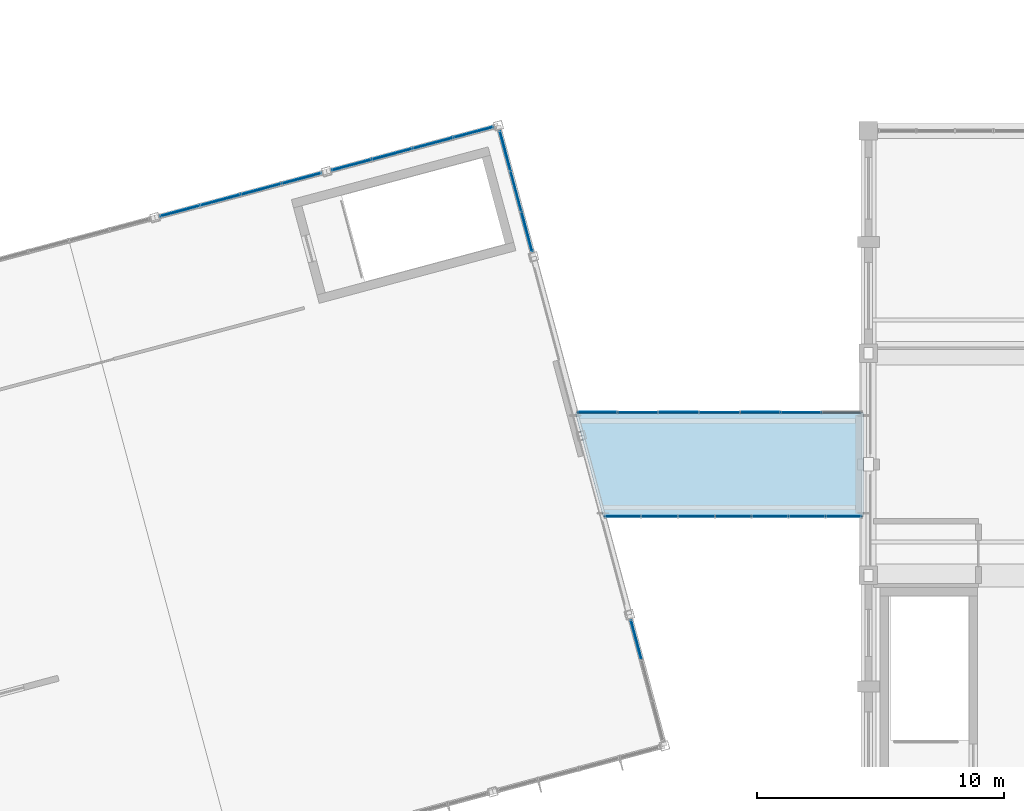
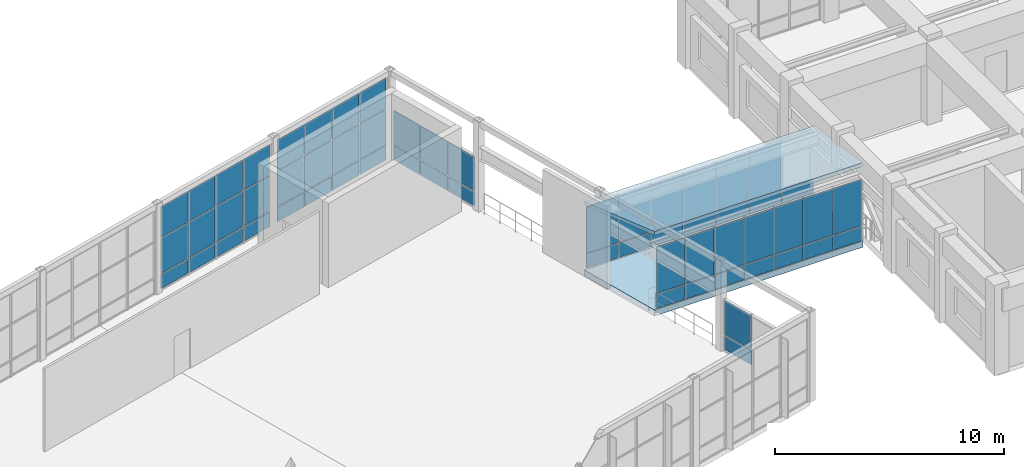
# One storey, part 75 of 99: 59 plates, 2 slabs, 6 elements without a shape of their own.
"""IFC4 building model written with IfcOpenShell, lengths in metres."""

from ifc_helpers import new_model, si_unit, direction, frame, origin, origin_2d, place, context, subcontext, project, spatial, polyline, rectangle, outline, extrude, material, layer, layer_set, type_object, element, aggregate, save


model = new_model("IFC4")

# Units and contexts
model_context = context("Model", 3, precision=1e-05, world=origin(), true_north=direction((0.0, 1.0)))
body_context = subcontext(model_context, "Body", "Model", "MODEL_VIEW")
ifc_project = project(units=[si_unit("LENGTHUNIT", "METRE"), si_unit("AREAUNIT", "SQUARE_METRE"), si_unit("VOLUMEUNIT", "CUBIC_METRE"), si_unit("PLANEANGLEUNIT", "RADIAN"), si_unit("MASSUNIT", "GRAM", prefix="KILO")], contexts=[model_context])

# Site, building, storey
site_placement = place(None, origin())
site = spatial("IfcSite", under=ifc_project, at=site_placement, CompositionType="ELEMENT")
building_placement = place(site_placement, origin())
building = spatial("IfcBuilding", under=site, at=building_placement, Name="Ventoquebrada Cableway Terminal", CompositionType="ELEMENT")
storey_placement = place(building_placement, frame((0.0, 0.0, 9.60009765625)))
storey = spatial("IfcBuildingStorey", under=building, at=storey_placement, Name="L02", CompositionType="ELEMENT", Elevation=9.60009765625)

# Curtain wall, plates
ifc_material_1 = material(Name="Anodized thermally-broken aluminium", Category="aluminium")
ifc_layer_1 = layer(ifc_material_1, 0.159912109375)
ifc_layer_set_1 = layer_set([ifc_layer_1], Name="Anodized thermally-broken aluminium")
curtain_wall_type_1 = type_object("IfcCurtainWallType", Name="CW-T40", PredefinedType="USERDEFINED", material=ifc_layer_set_1)
curtain_wall_1_placement = place(storey_placement, origin())
curtain_wall_1 = element("IfcCurtainWall", 1, at=curtain_wall_1_placement, inside=storey, type_object=curtain_wall_type_1, Name="Unitised glazed curtain wall CW-109", ObjectType="UNITISED CURTAIN WALL", PredefinedType="USERDEFINED")
ifc_material_2 = material(Name="Double low-e laminated safety glazing", Category="glass")
ifc_layer_2 = layer(ifc_material_2, 0.031982421875)
ifc_layer_set_2 = layer_set([ifc_layer_2], Name="Double low-e laminated safety glazing")
plate_type_1 = type_object("IfcPlateType", Name="CWP-GL1", PredefinedType="CURTAIN_PANEL", material=ifc_layer_set_2)
plate_1_placement = place(storey_placement, frame((72.050048828125, 102.0791015625, 2.808837890625), z_axis=(0.0, 0.0, 1.0), x_axis=(-0.965966469573, -0.258667314636, 0.0)))
plate_1 = element("IfcPlate", 2, at=plate_1_placement, type_object=plate_type_1, Name="Vision glazing panel PN-1145", PredefinedType="CURTAIN_PANEL", context=body_context, shape_type="SweptSolid", body=[
    extrude(rectangle(XDim=1.615966796875, YDim=0.031982421875, at=origin_2d()), origin(), (0.0, 0.0, 1.0), 1.6220703125),
])
plate_2_placement = place(storey_placement, frame((70.4150390625, 101.64208984375, 0.87451171875), z_axis=(0.0, 0.0, 1.0), x_axis=(-0.965966469573, -0.258667314636, 0.0)))
plate_2 = element("IfcPlate", 3, at=plate_2_placement, type_object=plate_type_1, Name="Vision glazing panel PN-1147", PredefinedType="CURTAIN_PANEL", context=body_context, shape_type="SweptSolid", body=[
    extrude(rectangle(XDim=1.65087890625, YDim=0.031982421875, at=origin_2d()), origin(), (0.0, 0.0, 1.0), 1.885009765625),
])
plate_3_placement = place(storey_placement, frame((68.763916015625, 101.199951171875, 2.808837890625), z_axis=(0.0, 0.0, 1.0), x_axis=(-0.965966469573, -0.258667314636, 0.0)))
plate_3 = element("IfcPlate", 4, at=plate_3_placement, type_object=plate_type_1, Name="Vision glazing panel PN-1151", PredefinedType="CURTAIN_PANEL", context=body_context, shape_type="SweptSolid", body=[
    extrude(rectangle(XDim=1.65087890625, YDim=0.031982421875, at=origin_2d()), origin(), (0.0, 0.0, 1.0), 1.6220703125),
])
plate_4_placement = place(storey_placement, frame((67.1298828125, 100.760986328125, 0.87451171875), z_axis=(0.0, 0.0, 1.0), x_axis=(-0.965966469573, -0.258667314636, 0.0)))
plate_4 = element("IfcPlate", 5, at=plate_4_placement, type_object=plate_type_1, Name="Vision glazing panel PN-1153", PredefinedType="CURTAIN_PANEL", context=body_context, shape_type="SweptSolid", body=[
    extrude(rectangle(XDim=1.615966796875, YDim=0.031982421875, at=origin_2d()), origin(), (0.0, 0.0, 1.0), 1.885009765625),
])

curtain_wall_2_placement = place(storey_placement, origin())
curtain_wall_2 = element("IfcCurtainWall", 6, at=curtain_wall_2_placement, inside=storey, type_object=curtain_wall_type_1, Name="Unitised glazed curtain wall CW-110", ObjectType="UNITISED CURTAIN WALL", PredefinedType="USERDEFINED")
plate_5_placement = place(storey_placement, frame((79.0048828125, 103.944091796875, 2.808837890625), z_axis=(0.0, 0.0, 1.0), x_axis=(-0.965939376699, -0.25876846899, 0.0)))
plate_5 = element("IfcPlate", 7, at=plate_5_placement, type_object=plate_type_1, Name="Vision glazing panel PN-1157", PredefinedType="CURTAIN_PANEL", context=body_context, shape_type="SweptSolid", body=[
    extrude(rectangle(XDim=1.615966796875, YDim=0.031982421875, at=origin_2d()), origin(), (0.0, 0.0, 1.0), 1.6220703125),
])
plate_6_placement = place(storey_placement, frame((77.3701171875, 103.5048828125, 0.87451171875), z_axis=(0.0, 0.0, 1.0), x_axis=(-0.965939376699, -0.25876846899, 0.0)))
plate_6 = element("IfcPlate", 8, at=plate_6_placement, type_object=plate_type_1, Name="Vision glazing panel PN-1159", PredefinedType="CURTAIN_PANEL", context=body_context, shape_type="SweptSolid", body=[
    extrude(rectangle(XDim=1.65087890625, YDim=0.031982421875, at=origin_2d()), origin(), (0.0, 0.0, 1.0), 1.885009765625),
])
plate_7_placement = place(storey_placement, frame((75.718994140625, 103.06298828125, 2.808837890625), z_axis=(0.0, 0.0, 1.0), x_axis=(-0.965939376699, -0.25876846899, 0.0)))
plate_7 = element("IfcPlate", 9, at=plate_7_placement, type_object=plate_type_1, Name="Vision glazing panel PN-1163", PredefinedType="CURTAIN_PANEL", context=body_context, shape_type="SweptSolid", body=[
    extrude(rectangle(XDim=1.65087890625, YDim=0.031982421875, at=origin_2d()), origin(), (0.0, 0.0, 1.0), 1.6220703125),
])
plate_8_placement = place(storey_placement, frame((74.083984375, 102.6240234375, 0.87451171875), z_axis=(0.0, 0.0, 1.0), x_axis=(-0.965939376699, -0.25876846899, 0.0)))
plate_8 = element("IfcPlate", 10, at=plate_8_placement, type_object=plate_type_1, Name="Vision glazing panel PN-1165", PredefinedType="CURTAIN_PANEL", context=body_context, shape_type="SweptSolid", body=[
    extrude(rectangle(XDim=1.615966796875, YDim=0.031982421875, at=origin_2d()), origin(), (0.0, 0.0, 1.0), 1.885009765625),
])

# Curtain wall, plate
ifc_layer_3 = layer(ifc_material_1, 0.159912109375)
ifc_layer_set_3 = layer_set([ifc_layer_3], Name="Anodized thermally-broken aluminium")
curtain_wall_type_2 = type_object("IfcCurtainWallType", Name="CW-T41", PredefinedType="USERDEFINED", material=ifc_layer_set_3)
curtain_wall_3_placement = place(storey_placement, origin())
curtain_wall_3 = element("IfcCurtainWall", 11, at=curtain_wall_3_placement, inside=storey, type_object=curtain_wall_type_2, Name="Unitised glazed curtain wall CW-114", ObjectType="UNITISED CURTAIN WALL", PredefinedType="USERDEFINED")
plate_9_placement = place(storey_placement, frame((80.73388671875, 101.55908203125, 0.87890625), z_axis=(0.0, 0.0, 1.0), x_axis=(-0.258751610128, 0.965943892913, 0.0)))
plate_9 = element("IfcPlate", 12, at=plate_9_placement, type_object=plate_type_1, Name="Vision glazing panel PN-1188", PredefinedType="CURTAIN_PANEL", context=body_context, shape_type="SweptSolid", body=[
    extrude(rectangle(XDim=1.6689453125, YDim=0.031982421875, at=origin_2d()), origin(), (0.0, 0.0, 1.0), 1.80810546875),
])

# Curtain wall, plates
ifc_layer_4 = layer(ifc_material_1, 0.159912109375)
ifc_layer_set_4 = layer_set([ifc_layer_4], Name="Anodized thermally-broken aluminium")
curtain_wall_type_3 = type_object("IfcCurtainWallType", Name="CW-T54", PredefinedType="USERDEFINED", material=ifc_layer_set_4)
curtain_wall_4_placement = place(storey_placement, origin())
curtain_wall_4 = element("IfcCurtainWall", 13, at=curtain_wall_4_placement, inside=storey, type_object=curtain_wall_type_3, Name="Unitised glazed curtain wall CW-173", ObjectType="UNITISED CURTAIN WALL", PredefinedType="USERDEFINED")
plate_10_placement = place(storey_placement, frame((86.5439453125, 88.39990234375, 0.87158203125), z_axis=(0.0, 0.0, 1.0), x_axis=(1.0, 0.0, 0.0)))
plate_10 = element("IfcPlate", 14, at=plate_10_placement, type_object=plate_type_1, Name="Vision glazing panel PN-1828", PredefinedType="CURTAIN_PANEL", context=body_context, shape_type="SweptSolid", body=[
    extrude(rectangle(XDim=1.448974609375, YDim=0.031982421875, at=origin_2d()), origin(), (0.0, 0.0, 1.0), 2.470947265625),
])
plate_11_placement = place(storey_placement, frame((89.530029296875, 88.39990234375, 0.87158203125), z_axis=(0.0, 0.0, 1.0), x_axis=(1.0, 0.0, 0.0)))
plate_11 = element("IfcPlate", 15, at=plate_11_placement, type_object=plate_type_1, Name="Vision glazing panel PN-1832", PredefinedType="CURTAIN_PANEL", context=body_context, shape_type="SweptSolid", body=[
    extrude(rectangle(XDim=1.448974609375, YDim=0.031982421875, at=origin_2d()), origin(), (0.0, 0.0, 1.0), 2.470947265625),
])
plate_12_placement = place(storey_placement, frame((92.51611328125, 88.39990234375, 0.87158203125), z_axis=(0.0, 0.0, 1.0), x_axis=(1.0, 0.0, 0.0)))
plate_12 = element("IfcPlate", 16, at=plate_12_placement, type_object=plate_type_1, Name="Vision glazing panel PN-1836", PredefinedType="CURTAIN_PANEL", context=body_context, shape_type="SweptSolid", body=[
    extrude(rectangle(XDim=1.448974609375, YDim=0.031982421875, at=origin_2d()), origin(), (0.0, 0.0, 1.0), 2.470947265625),
])

ifc_layer_5 = layer(ifc_material_1, 0.159912109375)
ifc_layer_set_5 = layer_set([ifc_layer_5], Name="Anodized thermally-broken aluminium")
curtain_wall_type_4 = type_object("IfcCurtainWallType", Name="CW-T55", PredefinedType="USERDEFINED", material=ifc_layer_set_5)
curtain_wall_5_placement = place(storey_placement, origin())
curtain_wall_5 = element("IfcCurtainWall", 17, at=curtain_wall_5_placement, inside=storey, type_object=curtain_wall_type_4, Name="Unitised glazed curtain wall CW-174", ObjectType="UNITISED CURTAIN WALL", PredefinedType="USERDEFINED")
plate_13_placement = place(storey_placement, frame((92.27392578125, 92.60009765625, 0.87158203125), z_axis=(0.0, 0.0, 1.0), x_axis=(-1.0, 0.0, 0.0)))
plate_13 = element("IfcPlate", 18, at=plate_13_placement, type_object=plate_type_1, Name="Vision glazing panel PN-1842", PredefinedType="CURTAIN_PANEL", context=body_context, shape_type="SweptSolid", body=[
    extrude(rectangle(XDim=1.610107421875, YDim=0.031982421875, at=origin_2d()), origin(), (0.0, 0.0, 1.0), 2.470947265625),
])
plate_14_placement = place(storey_placement, frame((88.968017578125, 92.60009765625, 0.87158203125), z_axis=(0.0, 0.0, 1.0), x_axis=(-1.0, 0.0, 0.0)))
plate_14 = element("IfcPlate", 19, at=plate_14_placement, type_object=plate_type_1, Name="Vision glazing panel PN-1846", PredefinedType="CURTAIN_PANEL", context=body_context, shape_type="SweptSolid", body=[
    extrude(rectangle(XDim=1.610107421875, YDim=0.031982421875, at=origin_2d()), origin(), (0.0, 0.0, 1.0), 2.470947265625),
])
plate_15_placement = place(storey_placement, frame((85.659912109375, 92.60009765625, 0.87158203125), z_axis=(0.0, 0.0, 1.0), x_axis=(-1.0, 0.0, 0.0)))
plate_15 = element("IfcPlate", 20, at=plate_15_placement, type_object=plate_type_1, Name="Vision glazing panel PN-1850", PredefinedType="CURTAIN_PANEL", context=body_context, shape_type="SweptSolid", body=[
    extrude(rectangle(XDim=1.610107421875, YDim=0.031982421875, at=origin_2d()), origin(), (0.0, 0.0, 1.0), 2.470947265625),
])

# Plate
ifc_layer_6 = layer(ifc_material_2, 0.0380859375)
ifc_layer_set_6 = layer_set([ifc_layer_6], Name="Double low-e laminated safety glazing")
plate_type_2 = type_object("IfcPlateType", Name="CWP-GL2", PredefinedType="CURTAIN_PANEL", material=ifc_layer_set_6)
plate_16_placement = place(storey_placement, frame((72.050048828125, 102.0791015625, 0.87451171875), z_axis=(0.0, 0.0, 1.0), x_axis=(-0.965966469573, -0.258667314636, 0.0)))
plate_16 = element("IfcPlate", 21, at=plate_16_placement, type_object=plate_type_2, Name="Vision glazing panel PN-1144", PredefinedType="CURTAIN_PANEL", context=body_context, shape_type="SweptSolid", body=[
    extrude(rectangle(XDim=1.615966796875, YDim=0.0380859375, at=origin_2d()), origin(), (0.0, 0.0, 1.0), 1.885009765625),
])

plate_17_placement = place(storey_placement, frame((70.4150390625, 101.64208984375, 2.808837890625), z_axis=(0.0, 0.0, 1.0), x_axis=(-0.965966469573, -0.258667314636, 0.0)))
plate_17 = element("IfcPlate", 22, at=plate_17_placement, type_object=plate_type_2, Name="Vision glazing panel PN-1148", PredefinedType="CURTAIN_PANEL", context=body_context, shape_type="SweptSolid", body=[
    extrude(rectangle(XDim=1.65087890625, YDim=0.0380859375, at=origin_2d()), origin(), (0.0, 0.0, 1.0), 1.6220703125),
])

plate_18_placement = place(storey_placement, frame((68.763916015625, 101.199951171875, 0.87451171875), z_axis=(0.0, 0.0, 1.0), x_axis=(-0.965966469573, -0.258667314636, 0.0)))
plate_18 = element("IfcPlate", 23, at=plate_18_placement, type_object=plate_type_2, Name="Vision glazing panel PN-1150", PredefinedType="CURTAIN_PANEL", context=body_context, shape_type="SweptSolid", body=[
    extrude(rectangle(XDim=1.65087890625, YDim=0.0380859375, at=origin_2d()), origin(), (0.0, 0.0, 1.0), 1.885009765625),
])

plate_19_placement = place(storey_placement, frame((67.1298828125, 100.760986328125, 2.808837890625), z_axis=(0.0, 0.0, 1.0), x_axis=(-0.965966469573, -0.258667314636, 0.0)))
plate_19 = element("IfcPlate", 24, at=plate_19_placement, type_object=plate_type_2, Name="Vision glazing panel PN-1154", PredefinedType="CURTAIN_PANEL", context=body_context, shape_type="SweptSolid", body=[
    extrude(rectangle(XDim=1.615966796875, YDim=0.0380859375, at=origin_2d()), origin(), (0.0, 0.0, 1.0), 1.6220703125),
])

plate_20_placement = place(storey_placement, frame((79.0048828125, 103.944091796875, 0.87451171875), z_axis=(0.0, 0.0, 1.0), x_axis=(-0.965939376699, -0.25876846899, 0.0)))
plate_20 = element("IfcPlate", 25, at=plate_20_placement, type_object=plate_type_2, Name="Vision glazing panel PN-1156", PredefinedType="CURTAIN_PANEL", context=body_context, shape_type="SweptSolid", body=[
    extrude(rectangle(XDim=1.615966796875, YDim=0.0380859375, at=origin_2d()), origin(), (0.0, 0.0, 1.0), 1.885009765625),
])

plate_21_placement = place(storey_placement, frame((77.3701171875, 103.5048828125, 2.808837890625), z_axis=(0.0, 0.0, 1.0), x_axis=(-0.965939376699, -0.25876846899, 0.0)))
plate_21 = element("IfcPlate", 26, at=plate_21_placement, type_object=plate_type_2, Name="Vision glazing panel PN-1160", PredefinedType="CURTAIN_PANEL", context=body_context, shape_type="SweptSolid", body=[
    extrude(rectangle(XDim=1.65087890625, YDim=0.0380859375, at=origin_2d()), origin(), (0.0, 0.0, 1.0), 1.6220703125),
])

plate_22_placement = place(storey_placement, frame((75.718994140625, 103.06298828125, 0.87451171875), z_axis=(0.0, 0.0, 1.0), x_axis=(-0.965939376699, -0.25876846899, 0.0)))
plate_22 = element("IfcPlate", 27, at=plate_22_placement, type_object=plate_type_2, Name="Vision glazing panel PN-1162", PredefinedType="CURTAIN_PANEL", context=body_context, shape_type="SweptSolid", body=[
    extrude(rectangle(XDim=1.65087890625, YDim=0.0380859375, at=origin_2d()), origin(), (0.0, 0.0, 1.0), 1.885009765625),
])

plate_23_placement = place(storey_placement, frame((74.083984375, 102.6240234375, 2.808837890625), z_axis=(0.0, 0.0, 1.0), x_axis=(-0.965939376699, -0.25876846899, 0.0)))
plate_23 = element("IfcPlate", 28, at=plate_23_placement, type_object=plate_type_2, Name="Vision glazing panel PN-1166", PredefinedType="CURTAIN_PANEL", context=body_context, shape_type="SweptSolid", body=[
    extrude(rectangle(XDim=1.615966796875, YDim=0.0380859375, at=origin_2d()), origin(), (0.0, 0.0, 1.0), 1.6220703125),
])

# Curtain wall, plate
curtain_wall_6_placement = place(storey_placement, origin())
curtain_wall_6 = element("IfcCurtainWall", 29, at=curtain_wall_6_placement, inside=storey, type_object=curtain_wall_type_2, Name="Unitised glazed curtain wall CW-113", ObjectType="UNITISED CURTAIN WALL", PredefinedType="USERDEFINED")
plate_24_placement = place(storey_placement, frame((85.60205078125, 83.39501953125, 0.87890625), z_axis=(0.0, 0.0, 1.0), x_axis=(-0.258616736395, 0.965980012038, 0.0)))
plate_24 = element("IfcPlate", 30, at=plate_24_placement, type_object=plate_type_2, Name="Vision glazing panel PN-1184", PredefinedType="CURTAIN_PANEL", context=body_context, shape_type="SweptSolid", body=[
    extrude(rectangle(XDim=1.634033203125, YDim=0.0380859375, at=origin_2d()), origin(), (0.0, 0.0, 1.0), 1.80810546875),
])

# Plate
plate_25_placement = place(storey_placement, frame((81.172119140625, 99.922119140625, 0.87890625), z_axis=(0.0, 0.0, 1.0), x_axis=(-0.258751610128, 0.965943892913, 0.0)))
plate_25 = element("IfcPlate", 31, at=plate_25_placement, type_object=plate_type_2, Name="Vision glazing panel PN-1186", PredefinedType="CURTAIN_PANEL", context=body_context, shape_type="SweptSolid", body=[
    extrude(rectangle(XDim=1.634033203125, YDim=0.0380859375, at=origin_2d()), origin(), (0.0, 0.0, 1.0), 1.80810546875),
])

plate_26_placement = place(storey_placement, frame((80.2958984375, 103.197021484375, 0.87890625), z_axis=(0.0, 0.0, 1.0), x_axis=(-0.258751610128, 0.965943892913, 0.0)))
plate_26 = element("IfcPlate", 32, at=plate_26_placement, type_object=plate_type_2, Name="Vision glazing panel PN-1190", PredefinedType="CURTAIN_PANEL", context=body_context, shape_type="SweptSolid", body=[
    extrude(rectangle(XDim=1.634033203125, YDim=0.0380859375, at=origin_2d()), origin(), (0.0, 0.0, 1.0), 1.80810546875),
])

plate_27_placement = place(storey_placement, frame((85.069091796875, 88.39990234375, 0.87158203125), z_axis=(0.0, 0.0, 1.0), x_axis=(1.0, 0.0, 0.0)))
plate_27 = element("IfcPlate", 33, at=plate_27_placement, type_object=plate_type_2, Name="Vision glazing panel PN-1826", PredefinedType="CURTAIN_PANEL", context=body_context, shape_type="SweptSolid", body=[
    extrude(rectangle(XDim=1.4140625, YDim=0.0380859375, at=origin_2d()), origin(), (0.0, 0.0, 1.0), 2.470947265625),
])

plate_28_placement = place(storey_placement, frame((88.037109375, 88.39990234375, 0.87158203125), z_axis=(0.0, 0.0, 1.0), x_axis=(1.0, 0.0, 0.0)))
plate_28 = element("IfcPlate", 34, at=plate_28_placement, type_object=plate_type_2, Name="Vision glazing panel PN-1830", PredefinedType="CURTAIN_PANEL", context=body_context, shape_type="SweptSolid", body=[
    extrude(rectangle(XDim=1.448974609375, YDim=0.0380859375, at=origin_2d()), origin(), (0.0, 0.0, 1.0), 2.470947265625),
])

plate_29_placement = place(storey_placement, frame((91.02294921875, 88.39990234375, 0.87158203125), z_axis=(0.0, 0.0, 1.0), x_axis=(1.0, 0.0, 0.0)))
plate_29 = element("IfcPlate", 35, at=plate_29_placement, type_object=plate_type_2, Name="Vision glazing panel PN-1834", PredefinedType="CURTAIN_PANEL", context=body_context, shape_type="SweptSolid", body=[
    extrude(rectangle(XDim=1.448974609375, YDim=0.0380859375, at=origin_2d()), origin(), (0.0, 0.0, 1.0), 2.470947265625),
])

plate_30_placement = place(storey_placement, frame((93.990966796875, 88.39990234375, 0.87158203125), z_axis=(0.0, 0.0, 1.0), x_axis=(1.0, 0.0, 0.0)))
plate_30 = element("IfcPlate", 36, at=plate_30_placement, type_object=plate_type_2, Name="Vision glazing panel PN-1838", PredefinedType="CURTAIN_PANEL", context=body_context, shape_type="SweptSolid", body=[
    extrude(rectangle(XDim=1.4140625, YDim=0.0380859375, at=origin_2d()), origin(), (0.0, 0.0, 1.0), 2.470947265625),
])

plate_31_placement = place(storey_placement, frame((90.62109375, 92.60009765625, 0.87158203125), z_axis=(0.0, 0.0, 1.0), x_axis=(-1.0, 0.0, 0.0)))
plate_31 = element("IfcPlate", 37, at=plate_31_placement, type_object=plate_type_2, Name="Vision glazing panel PN-1844", PredefinedType="CURTAIN_PANEL", context=body_context, shape_type="SweptSolid", body=[
    extrude(rectangle(XDim=1.610107421875, YDim=0.0380859375, at=origin_2d()), origin(), (0.0, 0.0, 1.0), 2.470947265625),
])

plate_32_placement = place(storey_placement, frame((87.31396484375, 92.60009765625, 0.87158203125), z_axis=(0.0, 0.0, 1.0), x_axis=(-1.0, 0.0, 0.0)))
plate_32 = element("IfcPlate", 38, at=plate_32_placement, type_object=plate_type_2, Name="Vision glazing panel PN-1848", PredefinedType="CURTAIN_PANEL", context=body_context, shape_type="SweptSolid", body=[
    extrude(rectangle(XDim=1.610107421875, YDim=0.0380859375, at=origin_2d()), origin(), (0.0, 0.0, 1.0), 2.470947265625),
])

plate_33_placement = place(storey_placement, frame((84.02392578125, 92.60009765625, 0.87158203125), z_axis=(0.0, 0.0, 1.0), x_axis=(-1.0, 0.0, 0.0)))
plate_33 = element("IfcPlate", 39, at=plate_33_placement, type_object=plate_type_2, Name="Vision glazing panel PN-1852", PredefinedType="CURTAIN_PANEL", context=body_context, shape_type="SweptSolid", body=[
    extrude(rectangle(XDim=1.574951171875, YDim=0.0380859375, at=origin_2d()), origin(), (0.0, 0.0, 1.0), 2.470947265625),
])

ifc_material_3 = material(Name="Insulated aluminium spandrel cassette", Category="aluminium")
ifc_layer_7 = layer(ifc_material_3, 0.044921875)
ifc_layer_set_7 = layer_set([ifc_layer_7], Name="Insulated aluminium spandrel cassette")
plate_type_3 = type_object("IfcPlateType", Name="CWP-SP1", PredefinedType="CURTAIN_PANEL", material=ifc_layer_set_7)
plate_34_placement = place(storey_placement, frame((72.050048828125, 102.0791015625, 0.059814453125), z_axis=(0.0, 0.0, 1.0), x_axis=(-0.965966469573, -0.258667314636, 0.0)))
plate_34 = element("IfcPlate", 40, at=plate_34_placement, type_object=plate_type_3, Name="Insulated spandrel panel PN-1143", PredefinedType="CURTAIN_PANEL", context=body_context, shape_type="SweptSolid", body=[
    extrude(rectangle(XDim=1.615966796875, YDim=0.044921875, at=origin_2d()), origin(), (0.0, 0.0, 1.0), 0.76611328125),
])

plate_35_placement = place(storey_placement, frame((70.4150390625, 101.64208984375, 0.059814453125), z_axis=(0.0, 0.0, 1.0), x_axis=(-0.965966469573, -0.258667314636, 0.0)))
plate_35 = element("IfcPlate", 41, at=plate_35_placement, type_object=plate_type_3, Name="Insulated spandrel panel PN-1146", PredefinedType="CURTAIN_PANEL", context=body_context, shape_type="SweptSolid", body=[
    extrude(rectangle(XDim=1.65087890625, YDim=0.044921875, at=origin_2d()), origin(), (0.0, 0.0, 1.0), 0.76611328125),
])

plate_36_placement = place(storey_placement, frame((68.763916015625, 101.199951171875, 0.059814453125), z_axis=(0.0, 0.0, 1.0), x_axis=(-0.965966469573, -0.258667314636, 0.0)))
plate_36 = element("IfcPlate", 42, at=plate_36_placement, type_object=plate_type_3, Name="Insulated spandrel panel PN-1149", PredefinedType="CURTAIN_PANEL", context=body_context, shape_type="SweptSolid", body=[
    extrude(rectangle(XDim=1.65087890625, YDim=0.044921875, at=origin_2d()), origin(), (0.0, 0.0, 1.0), 0.76611328125),
])

plate_37_placement = place(storey_placement, frame((67.1298828125, 100.760986328125, 0.059814453125), z_axis=(0.0, 0.0, 1.0), x_axis=(-0.965966469573, -0.258667314636, 0.0)))
plate_37 = element("IfcPlate", 43, at=plate_37_placement, type_object=plate_type_3, Name="Insulated spandrel panel PN-1152", PredefinedType="CURTAIN_PANEL", context=body_context, shape_type="SweptSolid", body=[
    extrude(rectangle(XDim=1.615966796875, YDim=0.044921875, at=origin_2d()), origin(), (0.0, 0.0, 1.0), 0.76611328125),
])

aggregate(curtain_wall_1, [plate_34, plate_16, plate_1, plate_35, plate_2, plate_17, plate_36, plate_18, plate_3, plate_37, plate_4, plate_19])

plate_38_placement = place(storey_placement, frame((79.0048828125, 103.944091796875, 0.059814453125), z_axis=(0.0, 0.0, 1.0), x_axis=(-0.965939376699, -0.25876846899, 0.0)))
plate_38 = element("IfcPlate", 44, at=plate_38_placement, type_object=plate_type_3, Name="Insulated spandrel panel PN-1155", PredefinedType="CURTAIN_PANEL", context=body_context, shape_type="SweptSolid", body=[
    extrude(rectangle(XDim=1.615966796875, YDim=0.044921875, at=origin_2d()), origin(), (0.0, 0.0, 1.0), 0.76611328125),
])

plate_39_placement = place(storey_placement, frame((77.3701171875, 103.5048828125, 0.059814453125), z_axis=(0.0, 0.0, 1.0), x_axis=(-0.965939376699, -0.25876846899, 0.0)))
plate_39 = element("IfcPlate", 45, at=plate_39_placement, type_object=plate_type_3, Name="Insulated spandrel panel PN-1158", PredefinedType="CURTAIN_PANEL", context=body_context, shape_type="SweptSolid", body=[
    extrude(rectangle(XDim=1.65087890625, YDim=0.044921875, at=origin_2d()), origin(), (0.0, 0.0, 1.0), 0.76611328125),
])

plate_40_placement = place(storey_placement, frame((75.718994140625, 103.06298828125, 0.059814453125), z_axis=(0.0, 0.0, 1.0), x_axis=(-0.965939376699, -0.25876846899, 0.0)))
plate_40 = element("IfcPlate", 46, at=plate_40_placement, type_object=plate_type_3, Name="Insulated spandrel panel PN-1161", PredefinedType="CURTAIN_PANEL", context=body_context, shape_type="SweptSolid", body=[
    extrude(rectangle(XDim=1.65087890625, YDim=0.044921875, at=origin_2d()), origin(), (0.0, 0.0, 1.0), 0.76611328125),
])

plate_41_placement = place(storey_placement, frame((74.083984375, 102.6240234375, 0.059814453125), z_axis=(0.0, 0.0, 1.0), x_axis=(-0.965939376699, -0.25876846899, 0.0)))
plate_41 = element("IfcPlate", 47, at=plate_41_placement, type_object=plate_type_3, Name="Insulated spandrel panel PN-1164", PredefinedType="CURTAIN_PANEL", context=body_context, shape_type="SweptSolid", body=[
    extrude(rectangle(XDim=1.615966796875, YDim=0.044921875, at=origin_2d()), origin(), (0.0, 0.0, 1.0), 0.76611328125),
])

aggregate(curtain_wall_2, [plate_38, plate_20, plate_5, plate_39, plate_6, plate_21, plate_40, plate_22, plate_7, plate_41, plate_8, plate_23])

plate_42_placement = place(storey_placement, frame((85.60205078125, 83.39501953125, 0.06494140625), z_axis=(0.0, 0.0, 1.0), x_axis=(-0.258616736395, 0.965980012038, 0.0)))
plate_42 = element("IfcPlate", 48, at=plate_42_placement, type_object=plate_type_3, Name="Insulated spandrel panel PN-1183", PredefinedType="CURTAIN_PANEL", context=body_context, shape_type="SweptSolid", body=[
    extrude(rectangle(XDim=1.634033203125, YDim=0.044921875, at=origin_2d()), origin(), (0.0, 0.0, 1.0), 0.756103515625),
])

aggregate(curtain_wall_6, [plate_42, plate_24])

plate_43_placement = place(storey_placement, frame((81.172119140625, 99.922119140625, 0.06494140625), z_axis=(0.0, 0.0, 1.0), x_axis=(-0.258751610128, 0.965943892913, 0.0)))
plate_43 = element("IfcPlate", 49, at=plate_43_placement, type_object=plate_type_3, Name="Insulated spandrel panel PN-1185", PredefinedType="CURTAIN_PANEL", context=body_context, shape_type="SweptSolid", body=[
    extrude(rectangle(XDim=1.634033203125, YDim=0.044921875, at=origin_2d()), origin(), (0.0, 0.0, 1.0), 0.756103515625),
])

plate_44_placement = place(storey_placement, frame((80.73388671875, 101.55908203125, 0.06494140625), z_axis=(0.0, 0.0, 1.0), x_axis=(-0.258751610128, 0.965943892913, 0.0)))
plate_44 = element("IfcPlate", 50, at=plate_44_placement, type_object=plate_type_3, Name="Insulated spandrel panel PN-1187", PredefinedType="CURTAIN_PANEL", context=body_context, shape_type="SweptSolid", body=[
    extrude(rectangle(XDim=1.6689453125, YDim=0.044921875, at=origin_2d()), origin(), (0.0, 0.0, 1.0), 0.756103515625),
])

plate_45_placement = place(storey_placement, frame((80.2958984375, 103.197021484375, 0.06494140625), z_axis=(0.0, 0.0, 1.0), x_axis=(-0.258751610128, 0.965943892913, 0.0)))
plate_45 = element("IfcPlate", 51, at=plate_45_placement, type_object=plate_type_3, Name="Insulated spandrel panel PN-1189", PredefinedType="CURTAIN_PANEL", context=body_context, shape_type="SweptSolid", body=[
    extrude(rectangle(XDim=1.634033203125, YDim=0.044921875, at=origin_2d()), origin(), (0.0, 0.0, 1.0), 0.756103515625),
])

aggregate(curtain_wall_3, [plate_43, plate_25, plate_44, plate_9, plate_45, plate_26])

plate_46_placement = place(storey_placement, frame((85.069091796875, 88.39990234375, 0.057373046875), z_axis=(0.0, 0.0, 1.0), x_axis=(1.0, 0.0, 0.0)))
plate_46 = element("IfcPlate", 52, at=plate_46_placement, type_object=plate_type_3, Name="Insulated spandrel panel PN-1825", PredefinedType="CURTAIN_PANEL", context=body_context, shape_type="SweptSolid", body=[
    extrude(rectangle(XDim=1.4140625, YDim=0.044921875, at=origin_2d()), origin(), (0.0, 0.0, 1.0), 0.77099609375),
])

plate_47_placement = place(storey_placement, frame((86.5439453125, 88.39990234375, 0.057373046875), z_axis=(0.0, 0.0, 1.0), x_axis=(1.0, 0.0, 0.0)))
plate_47 = element("IfcPlate", 53, at=plate_47_placement, type_object=plate_type_3, Name="Insulated spandrel panel PN-1827", PredefinedType="CURTAIN_PANEL", context=body_context, shape_type="SweptSolid", body=[
    extrude(rectangle(XDim=1.448974609375, YDim=0.044921875, at=origin_2d()), origin(), (0.0, 0.0, 1.0), 0.77099609375),
])

plate_48_placement = place(storey_placement, frame((88.037109375, 88.39990234375, 0.057373046875), z_axis=(0.0, 0.0, 1.0), x_axis=(1.0, 0.0, 0.0)))
plate_48 = element("IfcPlate", 54, at=plate_48_placement, type_object=plate_type_3, Name="Insulated spandrel panel PN-1829", PredefinedType="CURTAIN_PANEL", context=body_context, shape_type="SweptSolid", body=[
    extrude(rectangle(XDim=1.448974609375, YDim=0.044921875, at=origin_2d()), origin(), (0.0, 0.0, 1.0), 0.77099609375),
])

plate_49_placement = place(storey_placement, frame((89.530029296875, 88.39990234375, 0.057373046875), z_axis=(0.0, 0.0, 1.0), x_axis=(1.0, 0.0, 0.0)))
plate_49 = element("IfcPlate", 55, at=plate_49_placement, type_object=plate_type_3, Name="Insulated spandrel panel PN-1831", PredefinedType="CURTAIN_PANEL", context=body_context, shape_type="SweptSolid", body=[
    extrude(rectangle(XDim=1.448974609375, YDim=0.044921875, at=origin_2d()), origin(), (0.0, 0.0, 1.0), 0.77099609375),
])

plate_50_placement = place(storey_placement, frame((91.02294921875, 88.39990234375, 0.057373046875), z_axis=(0.0, 0.0, 1.0), x_axis=(1.0, 0.0, 0.0)))
plate_50 = element("IfcPlate", 56, at=plate_50_placement, type_object=plate_type_3, Name="Insulated spandrel panel PN-1833", PredefinedType="CURTAIN_PANEL", context=body_context, shape_type="SweptSolid", body=[
    extrude(rectangle(XDim=1.448974609375, YDim=0.044921875, at=origin_2d()), origin(), (0.0, 0.0, 1.0), 0.77099609375),
])

plate_51_placement = place(storey_placement, frame((92.51611328125, 88.39990234375, 0.057373046875), z_axis=(0.0, 0.0, 1.0), x_axis=(1.0, 0.0, 0.0)))
plate_51 = element("IfcPlate", 57, at=plate_51_placement, type_object=plate_type_3, Name="Insulated spandrel panel PN-1835", PredefinedType="CURTAIN_PANEL", context=body_context, shape_type="SweptSolid", body=[
    extrude(rectangle(XDim=1.448974609375, YDim=0.044921875, at=origin_2d()), origin(), (0.0, 0.0, 1.0), 0.77099609375),
])

plate_52_placement = place(storey_placement, frame((93.990966796875, 88.39990234375, 0.057373046875), z_axis=(0.0, 0.0, 1.0), x_axis=(1.0, 0.0, 0.0)))
plate_52 = element("IfcPlate", 58, at=plate_52_placement, type_object=plate_type_3, Name="Insulated spandrel panel PN-1837", PredefinedType="CURTAIN_PANEL", context=body_context, shape_type="SweptSolid", body=[
    extrude(rectangle(XDim=1.4140625, YDim=0.044921875, at=origin_2d()), origin(), (0.0, 0.0, 1.0), 0.77099609375),
])

aggregate(curtain_wall_4, [plate_46, plate_27, plate_47, plate_10, plate_48, plate_28, plate_49, plate_11, plate_50, plate_29, plate_51, plate_12, plate_52, plate_30])

plate_53_placement = place(storey_placement, frame((93.909912109375, 92.60009765625, 0.057373046875), z_axis=(0.0, 0.0, 1.0), x_axis=(-1.0, 0.0, 0.0)))
plate_53 = element("IfcPlate", 59, at=plate_53_placement, type_object=plate_type_3, Name="Insulated spandrel panel PN-1839", PredefinedType="CURTAIN_PANEL", context=body_context, shape_type="SweptSolid", body=[
    extrude(rectangle(XDim=1.574951171875, YDim=0.044921875, at=origin_2d()), origin(), (0.0, 0.0, 1.0), 0.77099609375),
])

plate_54_placement = place(storey_placement, frame((92.27392578125, 92.60009765625, 0.057373046875), z_axis=(0.0, 0.0, 1.0), x_axis=(-1.0, 0.0, 0.0)))
plate_54 = element("IfcPlate", 60, at=plate_54_placement, type_object=plate_type_3, Name="Insulated spandrel panel PN-1841", PredefinedType="CURTAIN_PANEL", context=body_context, shape_type="SweptSolid", body=[
    extrude(rectangle(XDim=1.610107421875, YDim=0.044921875, at=origin_2d()), origin(), (0.0, 0.0, 1.0), 0.77099609375),
])

plate_55_placement = place(storey_placement, frame((90.62109375, 92.60009765625, 0.057373046875), z_axis=(0.0, 0.0, 1.0), x_axis=(-1.0, 0.0, 0.0)))
plate_55 = element("IfcPlate", 61, at=plate_55_placement, type_object=plate_type_3, Name="Insulated spandrel panel PN-1843", PredefinedType="CURTAIN_PANEL", context=body_context, shape_type="SweptSolid", body=[
    extrude(rectangle(XDim=1.610107421875, YDim=0.044921875, at=origin_2d()), origin(), (0.0, 0.0, 1.0), 0.77099609375),
])

plate_56_placement = place(storey_placement, frame((88.968017578125, 92.60009765625, 0.057373046875), z_axis=(0.0, 0.0, 1.0), x_axis=(-1.0, 0.0, 0.0)))
plate_56 = element("IfcPlate", 62, at=plate_56_placement, type_object=plate_type_3, Name="Insulated spandrel panel PN-1845", PredefinedType="CURTAIN_PANEL", context=body_context, shape_type="SweptSolid", body=[
    extrude(rectangle(XDim=1.610107421875, YDim=0.044921875, at=origin_2d()), origin(), (0.0, 0.0, 1.0), 0.77099609375),
])

plate_57_placement = place(storey_placement, frame((87.31396484375, 92.60009765625, 0.057373046875), z_axis=(0.0, 0.0, 1.0), x_axis=(-1.0, 0.0, 0.0)))
plate_57 = element("IfcPlate", 63, at=plate_57_placement, type_object=plate_type_3, Name="Insulated spandrel panel PN-1847", PredefinedType="CURTAIN_PANEL", context=body_context, shape_type="SweptSolid", body=[
    extrude(rectangle(XDim=1.610107421875, YDim=0.044921875, at=origin_2d()), origin(), (0.0, 0.0, 1.0), 0.77099609375),
])

plate_58_placement = place(storey_placement, frame((85.659912109375, 92.60009765625, 0.057373046875), z_axis=(0.0, 0.0, 1.0), x_axis=(-1.0, 0.0, 0.0)))
plate_58 = element("IfcPlate", 64, at=plate_58_placement, type_object=plate_type_3, Name="Insulated spandrel panel PN-1849", PredefinedType="CURTAIN_PANEL", context=body_context, shape_type="SweptSolid", body=[
    extrude(rectangle(XDim=1.610107421875, YDim=0.044921875, at=origin_2d()), origin(), (0.0, 0.0, 1.0), 0.77099609375),
])

plate_59_placement = place(storey_placement, frame((84.02392578125, 92.60009765625, 0.057373046875), z_axis=(0.0, 0.0, 1.0), x_axis=(-1.0, 0.0, 0.0)))
plate_59 = element("IfcPlate", 65, at=plate_59_placement, type_object=plate_type_3, Name="Insulated spandrel panel PN-1851", PredefinedType="CURTAIN_PANEL", context=body_context, shape_type="SweptSolid", body=[
    extrude(rectangle(XDim=1.574951171875, YDim=0.044921875, at=origin_2d()), origin(), (0.0, 0.0, 1.0), 0.77099609375),
])

aggregate(curtain_wall_5, [plate_53, plate_54, plate_13, plate_55, plate_31, plate_56, plate_14, plate_57, plate_32, plate_58, plate_15, plate_59, plate_33])

# Slabs
ifc_material_4 = material(Name="Concrete C40/50", Category="concrete")
ifc_layer_8 = layer(ifc_material_4, 0.324951171875)
ifc_layer_set_8 = layer_set([ifc_layer_8], Name="Concrete C40/50")
slab_type_1 = type_object("IfcSlabType", Name="SL-DK1", PredefinedType="FLOOR", material=ifc_layer_set_8)
slab_1_placement = place(storey_placement, frame((0.0, 0.0, -0.3251953125)))
element("IfcSlab", 66, at=slab_1_placement, inside=storey, type_object=slab_type_1, Name="Link bridge deck slab LP-3 SL-089", PredefinedType="FLOOR", context=body_context, shape_type="SweptSolid", body=[
    extrude(outline(polyline([(84.260009765625, 88.39990234375), (94.800048828125, 88.39990234375), (94.800048828125, 92.60009765625), (83.135009765625, 92.60009765625), (84.260009765625, 88.39990234375)])), origin(), (0.0, 0.0, 1.0), 0.3251953125),
])
ifc_material_5 = material(Name="Concrete C45/55", Category="concrete")
ifc_layer_9 = layer(ifc_material_5, 0.260009765625)
ifc_layer_set_9 = layer_set([ifc_layer_9], Name="Concrete C45/55")
slab_type_2 = type_object("IfcSlabType", Name="SL-RF3", PredefinedType="ROOF", material=ifc_layer_set_9)
slab_2_placement = place(storey_placement, frame((84.260009765625, 88.375, 4.004638671875), z_axis=(0.0, 0.130529049008, 0.991444485266), x_axis=(1.0, 0.0, 0.0)))
element("IfcSlab", 67, at=slab_2_placement, inside=storey, type_object=slab_type_2, Name="Link bridge sloped roof slab SL-090", PredefinedType="ROOF", context=body_context, shape_type="SweptSolid", body=[
    extrude(outline(polyline([(0.0, 0.0), (10.5400390625, 0.0), (10.5400390625, 4.236440239386106), (-1.125, 4.236440239386106), (0.0, 0.0)])), origin(), (0.0, 0.0, 1.0), 0.18994140625),
])

save(model, "model.ifc")
